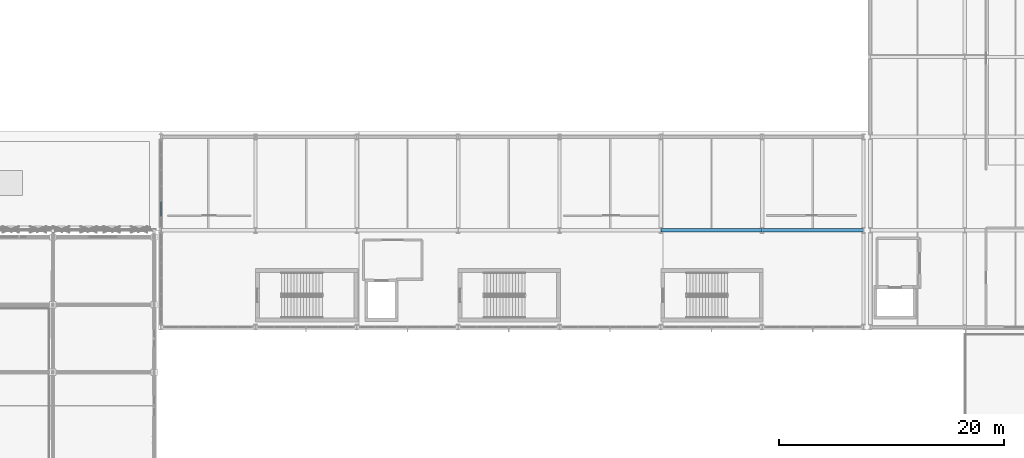
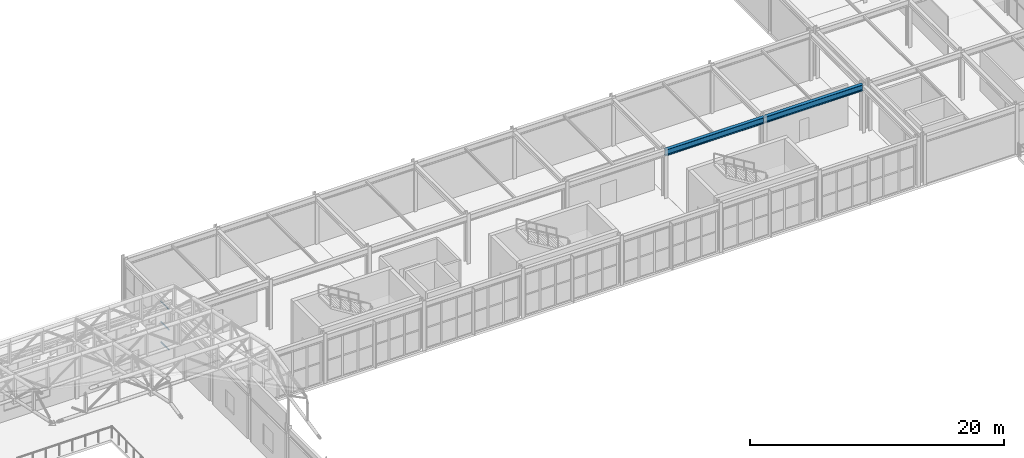
# One storey, part 36 of 112: 3 members, 2 beams, 1 element without a shape of its own.
"""IFC4 building model written with IfcOpenShell, lengths in metres."""

from ifc_helpers import new_model, si_unit, direction, frame, origin, origin_2d, place, context, subcontext, project, spatial, hollow_rectangle, i_section, extrude, material, material_profile, profile_set, type_object, element, aggregate, save


model = new_model("IFC4")

# Units and contexts
model_context = context("Model", 3, precision=1e-05, world=origin(), true_north=direction((0.0, 1.0)))
body_context = subcontext(model_context, "Body", "Model", "MODEL_VIEW")
ifc_project = project(units=[si_unit("LENGTHUNIT", "METRE"), si_unit("AREAUNIT", "SQUARE_METRE"), si_unit("VOLUMEUNIT", "CUBIC_METRE"), si_unit("PLANEANGLEUNIT", "RADIAN"), si_unit("MASSUNIT", "GRAM", prefix="KILO")], contexts=[model_context])

# Site, building, storey
site_placement = place(None, origin())
site = spatial("IfcSite", under=ifc_project, at=site_placement, CompositionType="ELEMENT")
building_placement = place(site_placement, origin())
building = spatial("IfcBuilding", under=site, at=building_placement, Name="Kaldris Quays Convention Centre", CompositionType="ELEMENT")
storey_placement = place(building_placement, frame((0.0, 0.0, 16.800048828125)))
storey = spatial("IfcBuildingStorey", under=building, at=storey_placement, Name="L03", CompositionType="ELEMENT", Elevation=16.800048828125)

# Curtain wall, members
ifc_material_1 = material(Name="Anodized aluminium AW-6060 and triple glazing", Category="aluminium")
curtain_wall_type = type_object("IfcCurtainWallType", Name="UNITISED CURTAIN WALL CW04", PredefinedType="NOTDEFINED", material=ifc_material_1)
curtain_wall_placement = place(storey_placement, origin())
curtain_wall = element("IfcCurtainWall", 1, at=curtain_wall_placement, inside=storey, type_object=curtain_wall_type, Name="L03 Unitised Curtain Wall CW04 128", PredefinedType="NOTDEFINED")
ifc_material_2 = material(Name="Anodized aluminium AW-6060", Category="aluminium")
ifc_material_profile_1 = material_profile(ifc_material_2, hollow_rectangle(XDim=0.06005859375, YDim=0.1201171875, WallThickness=0.00390625, at=origin_2d()), Name="RHS 120x60x4")
ifc_profile_set_1 = profile_set([ifc_material_profile_1], Name="Anodized aluminium AW-6060")
member_type = type_object("IfcMemberType", Name="CURTAIN TRANSOM CWT1", PredefinedType="USERDEFINED", material=ifc_profile_set_1)
member_1_placement = place(storey_placement, frame((83.60009765625, 47.8466796875, 0.030029296875), z_axis=(0.0, 1.0, 0.0), x_axis=(-1.0, 0.0, 0.0)))
member_1 = element("IfcMember", 2, at=member_1_placement, type_object=member_type, Name="CW04 transom 8.1", ObjectType="TRANSOM", PredefinedType="USERDEFINED", context=body_context, shape_type="SweptSolid", body=[
    extrude(hollow_rectangle(XDim=0.06005859375, YDim=0.1201171875, WallThickness=0.00390625, at=origin_2d()), origin(), (0.0, 0.0, 1.0), 1.306640625),
])
member_2_placement = place(storey_placement, frame((83.60009765625, 47.8466796875, 1.98193359375), z_axis=(0.0, 1.0, 0.0), x_axis=(-1.0, 0.0, 0.0)))
member_2 = element("IfcMember", 3, at=member_2_placement, type_object=member_type, Name="CW04 transom 8.2", ObjectType="TRANSOM", PredefinedType="USERDEFINED", context=body_context, shape_type="SweptSolid", body=[
    extrude(hollow_rectangle(XDim=0.06005859375, YDim=0.1201171875, WallThickness=0.00390625, at=origin_2d()), origin(), (0.0, 0.0, 1.0), 1.306640625),
])
member_3_placement = place(storey_placement, frame((83.60009765625, 47.8466796875, 3.93505859375), z_axis=(0.0, 1.0, 0.0), x_axis=(-1.0, 0.0, 0.0)))
member_3 = element("IfcMember", 4, at=member_3_placement, type_object=member_type, Name="CW04 transom 8.3", ObjectType="TRANSOM", PredefinedType="USERDEFINED", context=body_context, shape_type="SweptSolid", body=[
    extrude(hollow_rectangle(XDim=0.06005859375, YDim=0.1201171875, WallThickness=0.00390625, at=origin_2d()), origin(), (0.0, 0.0, 1.0), 1.306640625),
])
aggregate(curtain_wall, [member_1, member_2, member_3])

# Beams
ifc_material_3 = material(Name="Steel S355J2", Category="steel")
ifc_material_profile_2 = material_profile(ifc_material_3, i_section(OverallWidth=0.300048828125, OverallDepth=0.590087890625, WebThickness=0.012939453125, FlangeThickness=0.02490234375, FilletRadius=0.027099609375, at=origin_2d()), Name="HEA 600")
ifc_profile_set_2 = profile_set([ifc_material_profile_2], Name="Steel S355J2")
beam_type = type_object("IfcBeamType", Name="STRUCTURAL BEAM BM08", PredefinedType="BEAM", material=ifc_profile_set_2)
for number, where, z_axis, x_axis, name in (
    (5, (128.001220703125, 46.60009765625, 4.284912109375), (1.0, 0.0, 0.0), (0.0, 1.0, 0.0), "L03 Girder BM08 15"),
    (6, (137.001220703125, 46.60009765625, 4.284912109375), (1.0, 0.0, 0.0), (0.0, 1.0, 0.0), "L03 Girder BM08 16"),
):
    element("IfcBeam", number, at=place(storey_placement, frame(where, z_axis=z_axis, x_axis=x_axis)), inside=storey, type_object=beam_type, Name=name, PredefinedType="BEAM", context=body_context, shape_type="SweptSolid", body=[
        extrude(i_section(OverallWidth=0.300048828125, OverallDepth=0.590087890625, WebThickness=0.012939453125, FlangeThickness=0.02490234375, FilletRadius=0.027099609375, at=origin_2d()), origin(), (0.0, 0.0, 1.0), 8.99755859375),
    ])

save(model, "model.ifc")
